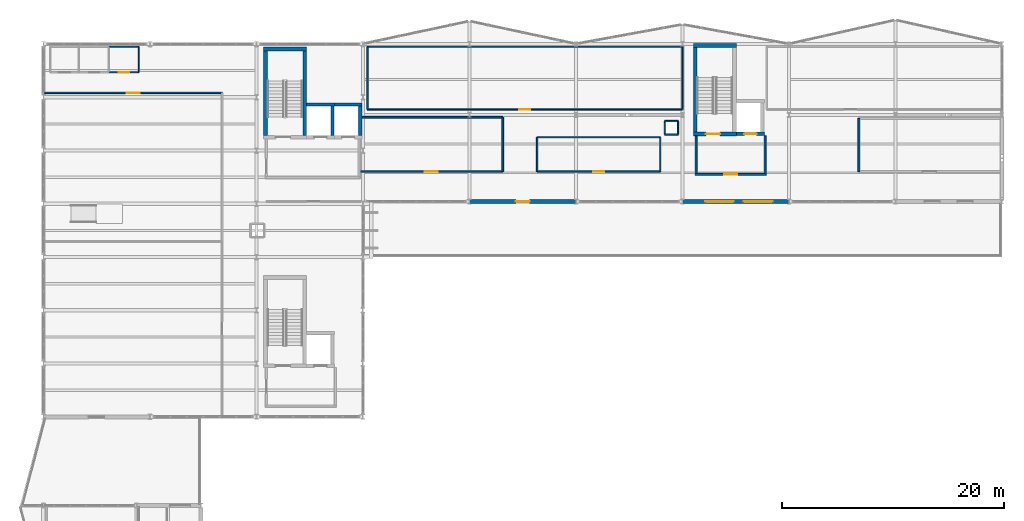
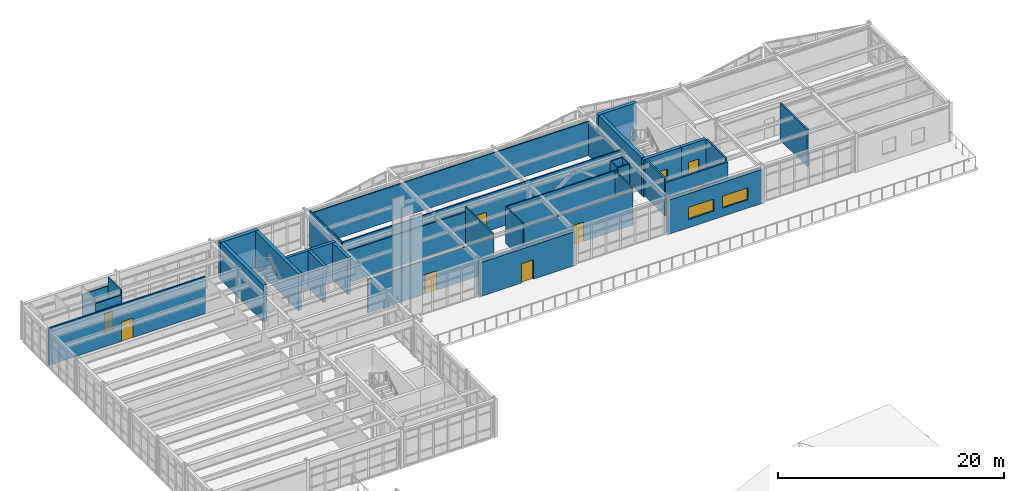
# One storey, part 42 of 47: 36 walls, 9 doors, 2 windows, 11 openings.
"""IFC4 building model written with IfcOpenShell, lengths in metres."""

from ifc_helpers import new_model, si_unit, direction, frame, frame_2d, origin, place, context, subcontext, project, spatial, rectangle, extrude, material, layer, layer_set, type_object, element, fill, save


model = new_model("IFC4")

# Units and contexts
model_context = context("Model", 3, precision=1e-05, world=origin(), true_north=direction((0.0, 1.0)))
body_context = subcontext(model_context, "Body", "Model", "MODEL_VIEW")
ifc_project = project(units=[si_unit("LENGTHUNIT", "METRE"), si_unit("AREAUNIT", "SQUARE_METRE"), si_unit("VOLUMEUNIT", "CUBIC_METRE"), si_unit("PLANEANGLEUNIT", "RADIAN"), si_unit("MASSUNIT", "GRAM", prefix="KILO")], contexts=[model_context])

# Site, building, storey
site_placement = place(None, origin())
site = spatial("IfcSite", under=ifc_project, at=site_placement, CompositionType="ELEMENT")
building_placement = place(site_placement, origin())
building = spatial("IfcBuilding", under=site, at=building_placement, Name="Nordkorset Police Headquarters", CompositionType="ELEMENT")
storey_placement = place(building_placement, frame((0.0, 0.0, 22.050048828125)))
storey = spatial("IfcBuildingStorey", under=building, at=storey_placement, Name="L05", CompositionType="ELEMENT", Elevation=22.050048828125)

# Wall, opening, door
ifc_material_1 = material(Name="Gypsum board", Category="gypsum")
ifc_layer_1 = layer(ifc_material_1, 0.139892578125, Name="Gypsum board")
ifc_layer_set_1 = layer_set([ifc_layer_1], Name="Gypsum board")
wall_type_1 = type_object("IfcWallType", Name="Wall_Acoust_140", PredefinedType="PARTITIONING", material=ifc_layer_set_1)
wall_1_placement = place(storey_placement, frame((16.10009765625, 112.39990234375, 0.0), z_axis=(0.0, 0.0, 1.0), x_axis=(-1.0, 0.0, 0.0)))
wall_1 = element("IfcWall", 1, at=wall_1_placement, inside=storey, type_object=wall_type_1, Name="Interior Partition Wall Case Preparation Hearing Room", PredefinedType="PARTITIONING", context=body_context, shape_type="SweptSolid", body=[
    extrude(rectangle(XDim=16.01513671875, YDim=0.139892578125, at=frame_2d((8.007568359375, 0.0))), origin(), (0.0, 0.0, 1.0), 4.0),
])
opening_1_placement = place(wall_1_placement, frame((7.41748046875, 0.0, 0.0)))
opening_1 = element("IfcOpeningElement", 2, at=opening_1_placement, cuts=wall_1, Name="Opening DR-22", PredefinedType="OPENING", context=body_context, shape_type="SweptSolid", body=[
    extrude(rectangle(XDim=1.179931640625, YDim=2.10009765625, at=frame_2d((0.58984375, 1.050048828125))), frame((0.0, 0.080078125, 0.0), z_axis=(0.0, -1.0, 0.0), x_axis=(1.0, 0.0, 0.0)), (0.0, 0.0, 1.0), 0.159912109375),
])
ifc_material_2 = material(Name="Glulam GL30c", Category="wood")
door_type_1 = type_object("IfcDoorType", Name="Door_Meeting_1180x2100", OperationType="NOTDEFINED", PredefinedType="DOOR", material=ifc_material_2)
door_1_placement = place(opening_1_placement, origin())
door_1 = element("IfcDoor", 3, at=door_1_placement, inside=storey, type_object=door_type_1, Name="Interior Door Case Preparation Hearing Room", OperationType="SINGLE_SWING_LEFT", OverallHeight=2.10009765625, OverallWidth=1.179931640625, PredefinedType="DOOR", context=body_context, shape_type="SweptSolid", body=[
    extrude(rectangle(XDim=1.179931640625, YDim=2.10009765625, at=frame_2d((0.58984375, 1.050048828125))), frame((0.0, 0.02490234375, 0.0), z_axis=(0.0, -1.0, 0.0), x_axis=(1.0, 0.0, 0.0)), (0.0, 0.0, 1.0), 0.050048828125),
])
fill(opening_1, door_1)

wall_2_placement = place(storey_placement, frame((28.544921875, 105.300048828125, 0.0), z_axis=(0.0, 0.0, 1.0), x_axis=(1.0, 0.0, 0.0)))
wall_2 = element("IfcWall", 4, at=wall_2_placement, inside=storey, type_object=wall_type_1, Name="Interior Partition Wall Prosecution Case Conference Suite", PredefinedType="PARTITIONING", context=body_context, shape_type="SweptSolid", body=[
    extrude(rectangle(XDim=12.85498046875, YDim=0.139892578125, at=frame_2d((6.427490234375, 0.0))), origin(), (0.0, 0.0, 1.0), 3.619873046875),
])
opening_2_placement = place(wall_2_placement, frame((5.83740234375, 0.0, 0.0)))
opening_2 = element("IfcOpeningElement", 5, at=opening_2_placement, cuts=wall_2, Name="Opening DR-22", PredefinedType="OPENING", context=body_context, shape_type="SweptSolid", body=[
    extrude(rectangle(XDim=1.179931640625, YDim=2.10009765625, at=frame_2d((0.58984375, 1.050048828125))), frame((0.0, 0.080078125, 0.0), z_axis=(0.0, -1.0, 0.0), x_axis=(1.0, 0.0, 0.0)), (0.0, 0.0, 1.0), 0.159912109375),
])
door_2_placement = place(opening_2_placement, frame((1.179931640625, 0.0, 0.0), z_axis=(0.0, 0.0, 1.0), x_axis=(-1.0, 0.0, 0.0)))
door_2 = element("IfcDoor", 6, at=door_2_placement, inside=storey, type_object=door_type_1, Name="Interior Door Prosecution Case Conference Suite", OperationType="SINGLE_SWING_RIGHT", OverallHeight=2.10009765625, OverallWidth=1.179931640625, PredefinedType="DOOR", context=body_context, shape_type="SweptSolid", body=[
    extrude(rectangle(XDim=1.179931640625, YDim=2.10009765625, at=frame_2d((0.58984375, 1.050048828125))), frame((0.0, 0.02490234375, 0.0), z_axis=(0.0, -1.0, 0.0), x_axis=(1.0, 0.0, 0.0)), (0.0, 0.0, 1.0), 0.050048828125),
])
fill(opening_2, door_2)

# Walls
wall_3_placement = place(storey_placement, frame((41.39990234375, 105.300048828125, 0.0), z_axis=(0.0, 0.0, 1.0), x_axis=(0.0, 1.0, 0.0)))
element("IfcWall", 7, at=wall_3_placement, inside=storey, type_object=wall_type_1, Name="Interior Partition Wall Prosecution Case Conference Suite", PredefinedType="PARTITIONING", context=body_context, shape_type="SweptSolid", body=[
    extrude(rectangle(XDim=4.89990234375, YDim=0.139892578125, at=frame_2d((2.449951171875, 0.0))), origin(), (0.0, 0.0, 1.0), 4.0),
])
wall_4_placement = place(storey_placement, frame((41.39990234375, 110.199951171875, 0.0), z_axis=(0.0, 0.0, 1.0), x_axis=(-1.0, 0.0, 0.0)))
element("IfcWall", 8, at=wall_4_placement, inside=storey, type_object=wall_type_1, Name="Interior Partition Wall Prosecution Case Conference Suite", PredefinedType="PARTITIONING", context=body_context, shape_type="SweptSolid", body=[
    extrude(rectangle(XDim=12.704833984375, YDim=0.139892578125, at=frame_2d((6.3525390625, 0.0))), origin(), (0.0, 0.0, 1.0), 3.43994140625),
])

# Wall, opening, door
ifc_material_3 = material(Name="Gypsum board", Category="gypsum")
ifc_layer_2 = layer(ifc_material_3, 0.179931640625, Name="Gypsum board")
ifc_layer_set_2 = layer_set([ifc_layer_2], Name="Gypsum board")
wall_type_2 = type_object("IfcWallType", Name="Wall_Comp_180", PredefinedType="PARTITIONING", material=ifc_layer_set_2)
wall_5_placement = place(storey_placement, frame((58.75, 105.06005859375, 0.0), z_axis=(0.0, 0.0, 1.0), x_axis=(1.0, 0.0, 0.0)))
wall_5 = element("IfcWall", 9, at=wall_5_placement, inside=storey, type_object=wall_type_2, Name="Firefighting Lobby EI 60 Wall K2 L05 S", PredefinedType="PARTITIONING", context=body_context, shape_type="SweptSolid", body=[
    extrude(rectangle(XDim=6.39990234375, YDim=0.179931640625, at=frame_2d((3.199951171875, 0.0))), origin(), (0.0, 0.0, 1.0), 3.619873046875),
])
opening_3_placement = place(wall_5_placement, frame((2.625, 0.0, 0.0)))
opening_3 = element("IfcOpeningElement", 10, at=opening_3_placement, cuts=wall_5, Name="Opening DR-01", PredefinedType="OPENING", context=body_context, shape_type="SweptSolid", body=[
    extrude(rectangle(XDim=1.14990234375, YDim=2.14990234375, at=frame_2d((0.574951171875, 1.074951171875))), frame((0.0, 0.10009765625, 0.0), z_axis=(0.0, -1.0, 0.0), x_axis=(1.0, 0.0, 0.0)), (0.0, 0.0, 1.0), 0.199951171875),
])
ifc_material_4 = material(Name="Steel S355J2", Category="steel")
door_type_2 = type_object("IfcDoorType", Name="Door_LobbySingle_1150x2150", OperationType="NOTDEFINED", PredefinedType="DOOR", material=ifc_material_4)
door_3_placement = place(opening_3_placement, frame((1.14990234375, 0.0, 0.0), z_axis=(0.0, 0.0, 1.0), x_axis=(-1.0, 0.0, 0.0)))
door_3 = element("IfcDoor", 11, at=door_3_placement, inside=storey, type_object=door_type_2, Name="Firefighting Lobby Smoke Door K2 L05 S", OperationType="SINGLE_SWING_LEFT", OverallHeight=2.14990234375, OverallWidth=1.14990234375, PredefinedType="DOOR", context=body_context, shape_type="SweptSolid", body=[
    extrude(rectangle(XDim=1.14990234375, YDim=2.14990234375, at=frame_2d((0.574951171875, 1.074951171875))), frame((0.0, 0.02490234375, 0.0), z_axis=(0.0, -1.0, 0.0), x_axis=(1.0, 0.0, 0.0)), (0.0, 0.0, 1.0), 0.050048828125),
])
fill(opening_3, door_3)

# Walls
for number, where, z_axis, x_axis, name in (
    (12, (58.840087890625, 105.14990234375, 0.0), (0.0, 0.0, 1.0), (0.0, 1.0, 0.0), "Firefighting Lobby EI 60 Wall K2 L05 W"),
    (13, (65.06005859375, 105.14990234375, 0.0), (0.0, 0.0, 1.0), (0.0, 1.0, 0.0), "Firefighting Lobby EI 60 Wall K2 L05 E"),
):
    element("IfcWall", number, at=place(storey_placement, frame(where, z_axis=z_axis, x_axis=x_axis)), inside=storey, type_object=wall_type_2, Name=name, PredefinedType="PARTITIONING", context=body_context, shape_type="SweptSolid", body=[
        extrude(rectangle(XDim=3.375, YDim=0.179931640625, at=frame_2d((1.6875, 0.0))), origin(), (0.0, 0.0, 1.0), 4.0),
    ])
wall_6_placement = place(storey_placement, frame((73.5, 110.10009765625, 0.0), z_axis=(0.0, 0.0, 1.0), x_axis=(0.0, -1.0, 0.0)))
element("IfcWall", 14, at=wall_6_placement, inside=storey, type_object=wall_type_2, Name="Interior Partition Wall North Wing Air Handling Room", PredefinedType="PARTITIONING", context=body_context, shape_type="SweptSolid", body=[
    extrude(rectangle(XDim=4.800048828125, YDim=0.179931640625, at=frame_2d((2.39990234375, 0.0))), origin(), (0.0, 0.0, 1.0), 4.0),
])
ifc_material_5 = material(Name="Concrete C35/45", Category="concrete")
ifc_layer_3 = layer(ifc_material_5, 0.35009765625, Name="Concrete C35/45")
ifc_layer_set_3 = layer_set([ifc_layer_3], Name="Concrete C35/45")
wall_type_3 = type_object("IfcWallType", Name="Wall_CoreShear_350", PredefinedType="SHEAR", material=ifc_layer_set_3)
wall_7_placement = place(storey_placement, frame((19.824951171875, 116.35009765625, 0.0), z_axis=(0.0, 0.0, 1.0), x_axis=(1.0, 0.0, 0.0)))
element("IfcWall", 15, at=wall_7_placement, inside=storey, type_object=wall_type_3, Name="Core K1 Stair Shaft North Shear Wall L05", PredefinedType="SHEAR", context=body_context, shape_type="SweptSolid", body=[
    extrude(rectangle(XDim=3.900146484375, YDim=0.35009765625, at=frame_2d((1.9501953125, 0.0))), origin(), (0.0, 0.0, 1.0), 4.0),
])
for number, where, z_axis, x_axis, name in (
    (16, (20.0, 108.574951171875, 0.0), (0.0, 0.0, 1.0), (0.0, 1.0, 0.0), "Core K1 Stair Shaft West Shear Wall L05"),
    (17, (23.550048828125, 108.574951171875, 0.0), (0.0, 0.0, 1.0), (0.0, 1.0, 0.0), "Core K1 Stair Shaft East Shear Wall L05"),
):
    element("IfcWall", number, at=place(storey_placement, frame(where, z_axis=z_axis, x_axis=x_axis)), inside=storey, type_object=wall_type_3, Name=name, PredefinedType="SHEAR", context=body_context, shape_type="SweptSolid", body=[
        extrude(rectangle(XDim=7.60009765625, YDim=0.35009765625, at=frame_2d((3.800048828125, 0.0))), origin(), (0.0, 0.0, 1.0), 4.0),
    ])

# Wall, opening, door
wall_8_placement = place(storey_placement, frame((58.574951171875, 108.699951171875, 0.0), z_axis=(0.0, 0.0, 1.0), x_axis=(1.0, 0.0, 0.0)))
wall_8 = element("IfcWall", 18, at=wall_8_placement, inside=storey, type_object=wall_type_3, Name="Core K2 Stair Shaft South Shear Wall L05", PredefinedType="SHEAR", context=body_context, shape_type="SweptSolid", body=[
    extrude(rectangle(XDim=3.900146484375, YDim=0.35009765625, at=frame_2d((1.9501953125, 0.0))), origin(), (0.0, 0.0, 1.0), 4.0),
])
opening_4_placement = place(wall_8_placement, frame((1.125, 0.0, 0.0)))
opening_4 = element("IfcOpeningElement", 19, at=opening_4_placement, cuts=wall_8, Name="Opening DR-20", PredefinedType="OPENING", context=body_context, shape_type="SweptSolid", body=[
    extrude(rectangle(XDim=1.300048828125, YDim=2.14990234375, at=frame_2d((0.64990234375, 1.074951171875))), frame((0.0, 0.18505859375, 0.0), z_axis=(0.0, -1.0, 0.0), x_axis=(1.0, 0.0, 0.0)), (0.0, 0.0, 1.0), 0.3701171875),
])
ifc_material_6 = material(Name="Steel S355J2", Category="steel")
door_type_3 = type_object("IfcDoorType", Name="Door_Stair_1300x2150", OperationType="NOTDEFINED", PredefinedType="DOOR", material=ifc_material_6)
door_4_placement = place(opening_4_placement, frame((1.300048828125, 0.0, 0.0), z_axis=(0.0, 0.0, 1.0), x_axis=(-1.0, 0.0, 0.0)))
door_4 = element("IfcDoor", 20, at=door_4_placement, inside=storey, type_object=door_type_3, Name="Protected Stair Fire Door ST-02 L05", OperationType="SINGLE_SWING_RIGHT", OverallHeight=2.14990234375, OverallWidth=1.300048828125, PredefinedType="DOOR", context=body_context, shape_type="SweptSolid", body=[
    extrude(rectangle(XDim=1.300048828125, YDim=2.14990234375, at=frame_2d((0.64990234375, 1.074951171875))), frame((0.0, 0.02490234375, 0.0), z_axis=(0.0, -1.0, 0.0), x_axis=(1.0, 0.0, 0.0)), (0.0, 0.0, 1.0), 0.050048828125),
])
fill(opening_4, door_4)

# Walls
wall_9_placement = place(storey_placement, frame((58.574951171875, 116.64990234375, 0.0), z_axis=(0.0, 0.0, 1.0), x_axis=(1.0, 0.0, 0.0)))
element("IfcWall", 21, at=wall_9_placement, inside=storey, type_object=wall_type_3, Name="Core K2 Stair Shaft North Shear Wall L05", PredefinedType="SHEAR", context=body_context, shape_type="SweptSolid", body=[
    extrude(rectangle(XDim=3.900146484375, YDim=0.35009765625, at=frame_2d((1.9501953125, 0.0))), origin(), (0.0, 0.0, 1.0), 4.0),
])
wall_10_placement = place(storey_placement, frame((58.75, 108.875, 0.0), z_axis=(0.0, 0.0, 1.0), x_axis=(0.0, 1.0, 0.0)))
element("IfcWall", 22, at=wall_10_placement, inside=storey, type_object=wall_type_3, Name="Core K2 Stair Shaft West Shear Wall L05", PredefinedType="SHEAR", context=body_context, shape_type="SweptSolid", body=[
    extrude(rectangle(XDim=7.60009765625, YDim=0.35009765625, at=frame_2d((3.800048828125, 0.0))), origin(), (0.0, 0.0, 1.0), 4.0),
])

# Wall, opening, door
ifc_material_7 = material(Name="Precast concrete C40/50", Category="concrete")
ifc_layer_4 = layer(ifc_material_7, 0.360107421875, Name="Precast concrete C40/50")
ifc_layer_set_4 = layer_set([ifc_layer_4], Name="Precast concrete C40/50")
wall_type_4 = type_object("IfcWallType", Name="Wall_ExtPrecast_360", PredefinedType="SOLIDWALL", material=ifc_layer_set_4)
wall_11_placement = place(storey_placement, frame((38.40869140625, 102.60009765625, 0.0), z_axis=(0.0, 0.0, 1.0), x_axis=(1.0, 0.0, 0.0)))
wall_11 = element("IfcWall", 23, at=wall_11_placement, inside=storey, type_object=wall_type_4, Name="Exterior Insulated Precast Wall L05 V2S-1", PredefinedType="SOLIDWALL", context=body_context, shape_type="SweptSolid", body=[
    extrude(rectangle(XDim=9.58251953125, YDim=0.360107421875, at=frame_2d((4.791259765625, 0.0))), origin(), (0.0, 0.0, 1.0), 3.669921875),
])
opening_5_placement = place(wall_11_placement, frame((4.166259765625, 0.0, 0.0)))
opening_5 = element("IfcOpeningElement", 24, at=opening_5_placement, cuts=wall_11, Name="Opening TD-03", PredefinedType="OPENING", context=body_context, shape_type="SweptSolid", body=[
    extrude(rectangle(XDim=1.25, YDim=2.10009765625, at=frame_2d((0.625, 1.050048828125))), frame((0.0, 0.18994140625, 0.0), z_axis=(0.0, -1.0, 0.0), x_axis=(1.0, 0.0, 0.0)), (0.0, 0.0, 1.0), 0.380126953125),
])
ifc_material_8 = material(Name="Aluminium alloy AW-6060", Category="aluminium")
door_type_4 = type_object("IfcDoorType", Name="ExtDoor_Terrace_1250x2100", OperationType="NOTDEFINED", PredefinedType="DOOR", material=ifc_material_8)
door_5_placement = place(opening_5_placement, frame((1.25, 0.0, 0.0), z_axis=(0.0, 0.0, 1.0), x_axis=(-1.0, 0.0, 0.0)))
door_5 = element("IfcDoor", 25, at=door_5_placement, inside=storey, type_object=door_type_4, Name="North Wing Setback Terrace Door TD-03", OperationType="SINGLE_SWING_LEFT", OverallHeight=2.10009765625, OverallWidth=1.25, PredefinedType="DOOR", context=body_context, shape_type="SweptSolid", body=[
    extrude(rectangle(XDim=1.25, YDim=2.10009765625, at=frame_2d((0.625, 1.050048828125))), frame((0.0, 0.02490234375, 0.0), z_axis=(0.0, -1.0, 0.0), x_axis=(1.0, 0.0, 0.0)), (0.0, 0.0, 1.0), 0.050048828125),
])
fill(opening_5, door_5)

# Wall, openings, windows
wall_12_placement = place(storey_placement, frame((57.608642578125, 102.60009765625, 0.0), z_axis=(0.0, 0.0, 1.0), x_axis=(1.0, 0.0, 0.0)))
wall_12 = element("IfcWall", 26, at=wall_12_placement, inside=storey, type_object=wall_type_4, Name="Exterior Insulated Precast Wall L05 V2S-3", PredefinedType="SOLIDWALL", context=body_context, shape_type="SweptSolid", body=[
    extrude(rectangle(XDim=9.58251953125, YDim=0.360107421875, at=frame_2d((4.791259765625, 0.0))), origin(), (0.0, 0.0, 1.0), 3.669921875),
])
opening_6_placement = place(wall_12_placement, frame((2.024658203125, 0.0, 0.89990234375)))
opening_6 = element("IfcOpeningElement", 27, at=opening_6_placement, cuts=wall_12, Name="Opening WN-34", PredefinedType="OPENING", context=body_context, shape_type="SweptSolid", body=[
    extrude(rectangle(XDim=2.60009765625, YDim=1.300048828125, at=frame_2d((1.300048828125, 0.64990234375))), frame((0.0, 0.18994140625, 0.0), z_axis=(0.0, -1.0, 0.0), x_axis=(1.0, 0.0, 0.0)), (0.0, 0.0, 1.0), 0.380126953125),
])
opening_7_placement = place(wall_12_placement, frame((5.508056640625, 0.0, 0.89990234375)))
opening_7 = element("IfcOpeningElement", 28, at=opening_7_placement, cuts=wall_12, Name="Opening WN-34", PredefinedType="OPENING", context=body_context, shape_type="SweptSolid", body=[
    extrude(rectangle(XDim=2.60009765625, YDim=1.300048828125, at=frame_2d((1.300048828125, 0.64990234375))), frame((0.0, 0.18994140625, 0.0), z_axis=(0.0, -1.0, 0.0), x_axis=(1.0, 0.0, 0.0)), (0.0, 0.0, 1.0), 0.380126953125),
])
ifc_material_9 = material(Name="Low-iron triple glazing", Category="glass")
window_type = type_object("IfcWindowType", Name="Win_2600x1300", PartitioningType="SINGLE_PANEL", PredefinedType="WINDOW", material=ifc_material_9)
window_1_placement = place(opening_6_placement, origin())
window_1 = element("IfcWindow", 29, at=window_1_placement, inside=storey, type_object=window_type, Name="Triple-Glazed Exterior Window L05 V2S-3-1", OverallHeight=1.300048828125, OverallWidth=2.60009765625, PartitioningType="SINGLE_PANEL", PredefinedType="WINDOW", context=body_context, shape_type="SweptSolid", body=[
    extrude(rectangle(XDim=2.60009765625, YDim=1.300048828125, at=frame_2d((1.300048828125, 0.64990234375))), frame((0.0, 0.030029296875, 0.0), z_axis=(0.0, -1.0, 0.0), x_axis=(1.0, 0.0, 0.0)), (0.0, 0.0, 1.0), 0.06005859375),
])
fill(opening_6, window_1)
window_2_placement = place(opening_7_placement, origin())
window_2 = element("IfcWindow", 30, at=window_2_placement, inside=storey, type_object=window_type, Name="Triple-Glazed Exterior Window L05 V2S-3-2", OverallHeight=1.300048828125, OverallWidth=2.60009765625, PartitioningType="SINGLE_PANEL", PredefinedType="WINDOW", context=body_context, shape_type="SweptSolid", body=[
    extrude(rectangle(XDim=2.60009765625, YDim=1.300048828125, at=frame_2d((1.300048828125, 0.64990234375))), frame((0.0, 0.030029296875, 0.0), z_axis=(0.0, -1.0, 0.0), x_axis=(1.0, 0.0, 0.0)), (0.0, 0.0, 1.0), 0.06005859375),
])
fill(opening_7, window_2)

# Wall, opening, door
ifc_material_10 = material(Name="Gypsum board", Category="gypsum")
ifc_layer_5 = layer(ifc_material_10, 0.10009765625, Name="Gypsum board")
ifc_layer_set_5 = layer_set([ifc_layer_5], Name="Gypsum board")
wall_type_5 = type_object("IfcWallType", Name="Wall_Part_100", PredefinedType="PARTITIONING", material=ifc_layer_set_5)
wall_13_placement = place(storey_placement, frame((5.945068359375, 114.25, 0.0), z_axis=(0.0, 0.0, 1.0), x_axis=(1.0, 0.0, 0.0)))
wall_13 = element("IfcWall", 31, at=wall_13_placement, inside=storey, type_object=wall_type_5, Name="Interior Partition Wall Staff Male WC L05W", PredefinedType="PARTITIONING", context=body_context, shape_type="SweptSolid", body=[
    extrude(rectangle(XDim=2.655029296875, YDim=0.10009765625, at=frame_2d((1.32763671875, 0.0))), origin(), (0.0, 0.0, 1.0), 3.47998046875),
])
opening_8_placement = place(wall_13_placement, frame((0.867431640625, 0.0, 0.0)))
opening_8 = element("IfcOpeningElement", 32, at=opening_8_placement, cuts=wall_13, Name="Opening DR-21", PredefinedType="OPENING", context=body_context, shape_type="SweptSolid", body=[
    extrude(rectangle(XDim=0.919921875, YDim=2.080078125, at=frame_2d((0.4599609375, 1.0400390625))), frame((0.0, 0.06005859375, 0.0), z_axis=(0.0, -1.0, 0.0), x_axis=(1.0, 0.0, 0.0)), (0.0, 0.0, 1.0), 0.1201171875),
])
ifc_material_11 = material(Name="Glulam GL30c", Category="wood")
door_type_5 = type_object("IfcDoorType", Name="Door_WCStaff_920x2080", OperationType="NOTDEFINED", PredefinedType="DOOR", material=ifc_material_11)
door_6_placement = place(opening_8_placement, frame((0.919921875, 0.0, 0.0), z_axis=(0.0, 0.0, 1.0), x_axis=(-1.0, 0.0, 0.0)))
door_6 = element("IfcDoor", 33, at=door_6_placement, inside=storey, type_object=door_type_5, Name="Interior Door Staff Male WC L05W", OperationType="SINGLE_SWING_RIGHT", OverallHeight=2.080078125, OverallWidth=0.919921875, PredefinedType="DOOR", context=body_context, shape_type="SweptSolid", body=[
    extrude(rectangle(XDim=0.919921875, YDim=2.080078125, at=frame_2d((0.4599609375, 1.0400390625))), frame((0.0, 0.02490234375, 0.0), z_axis=(0.0, -1.0, 0.0), x_axis=(1.0, 0.0, 0.0)), (0.0, 0.0, 1.0), 0.050048828125),
])
fill(opening_8, door_6)

# Walls
wall_14_placement = place(storey_placement, frame((8.60009765625, 114.25, 0.0), z_axis=(0.0, 0.0, 1.0), x_axis=(0.0, 1.0, 0.0)))
element("IfcWall", 34, at=wall_14_placement, inside=storey, type_object=wall_type_5, Name="Interior Partition Wall Staff Male WC L05W", PredefinedType="PARTITIONING", context=body_context, shape_type="SweptSolid", body=[
    extrude(rectangle(XDim=2.300048828125, YDim=0.10009765625, at=frame_2d((1.14990234375, 0.0))), origin(), (0.0, 0.0, 1.0), 4.0),
])
wall_15_placement = place(storey_placement, frame((8.60009765625, 116.550048828125, 0.0), z_axis=(0.0, 0.0, 1.0), x_axis=(-1.0, 0.0, 0.0)))
element("IfcWall", 35, at=wall_15_placement, inside=storey, type_object=wall_type_5, Name="Interior Partition Wall Staff Male WC L05W", PredefinedType="PARTITIONING", context=body_context, shape_type="SweptSolid", body=[
    extrude(rectangle(XDim=2.655029296875, YDim=0.10009765625, at=frame_2d((1.32763671875, 0.0))), origin(), (0.0, 0.0, 1.0), 3.079833984375),
])

# Wall, opening, door
ifc_material_12 = material(Name="Gypsum board", Category="gypsum")
ifc_layer_6 = layer(ifc_material_12, 0.1201171875, Name="Gypsum board")
ifc_layer_set_6 = layer_set([ifc_layer_6], Name="Gypsum board")
wall_type_6 = type_object("IfcWallType", Name="Wall_Part_120", PredefinedType="PARTITIONING", material=ifc_layer_set_6)
wall_16_placement = place(storey_placement, frame((29.199951171875, 110.89990234375, 0.0), z_axis=(0.0, 0.0, 1.0), x_axis=(1.0, 0.0, 0.0)))
wall_16 = element("IfcWall", 36, at=wall_16_placement, inside=storey, type_object=wall_type_6, Name="Interior Partition Wall Senior Police Attorney Chambers West", PredefinedType="PARTITIONING", context=body_context, shape_type="SweptSolid", body=[
    extrude(rectangle(XDim=28.400146484375, YDim=0.1201171875, at=frame_2d((14.2001953125, 0.0))), origin(), (0.0, 0.0, 1.0), 4.0),
])
opening_9_placement = place(wall_16_placement, frame((13.7099609375, 0.0, 0.0)))
opening_9 = element("IfcOpeningElement", 37, at=opening_9_placement, cuts=wall_16, Name="Opening DR-18", PredefinedType="OPENING", context=body_context, shape_type="SweptSolid", body=[
    extrude(rectangle(XDim=0.97998046875, YDim=2.10009765625, at=frame_2d((0.489990234375, 1.050048828125))), frame((0.0, 0.070068359375, 0.0), z_axis=(0.0, -1.0, 0.0), x_axis=(1.0, 0.0, 0.0)), (0.0, 0.0, 1.0), 0.14013671875),
])
ifc_material_13 = material(Name="Glulam GL30c", Category="wood")
door_type_6 = type_object("IfcDoorType", Name="Door_Office_980x2100", OperationType="NOTDEFINED", PredefinedType="DOOR", material=ifc_material_13)
door_7_placement = place(opening_9_placement, frame((0.97998046875, 0.0, 0.0), z_axis=(0.0, 0.0, 1.0), x_axis=(-1.0, 0.0, 0.0)))
door_7 = element("IfcDoor", 38, at=door_7_placement, inside=storey, type_object=door_type_6, Name="Interior Door Senior Police Attorney Chambers West", OperationType="SINGLE_SWING_RIGHT", OverallHeight=2.10009765625, OverallWidth=0.97998046875, PredefinedType="DOOR", context=body_context, shape_type="SweptSolid", body=[
    extrude(rectangle(XDim=0.97998046875, YDim=2.10009765625, at=frame_2d((0.489990234375, 1.050048828125))), frame((0.0, 0.02490234375, 0.0), z_axis=(0.0, -1.0, 0.0), x_axis=(1.0, 0.0, 0.0)), (0.0, 0.0, 1.0), 0.050048828125),
])
fill(opening_9, door_7)

# Walls
wall_17_placement = place(storey_placement, frame((57.60009765625, 110.89990234375, 0.0), z_axis=(0.0, 0.0, 1.0), x_axis=(0.0, 1.0, 0.0)))
element("IfcWall", 39, at=wall_17_placement, inside=storey, type_object=wall_type_6, Name="Interior Partition Wall Senior Police Attorney Chambers West", PredefinedType="PARTITIONING", context=body_context, shape_type="SweptSolid", body=[
    extrude(rectangle(XDim=5.650146484375, YDim=0.1201171875, at=frame_2d((2.8251953125, 0.0))), origin(), (0.0, 0.0, 1.0), 3.5400390625),
])
wall_18_placement = place(storey_placement, frame((57.60009765625, 116.550048828125, 0.0), z_axis=(0.0, 0.0, 1.0), x_axis=(-1.0, 0.0, 0.0)))
element("IfcWall", 40, at=wall_18_placement, inside=storey, type_object=wall_type_6, Name="Interior Partition Wall Senior Police Attorney Chambers West", PredefinedType="PARTITIONING", context=body_context, shape_type="SweptSolid", body=[
    extrude(rectangle(XDim=28.400146484375, YDim=0.1201171875, at=frame_2d((14.2001953125, 0.0))), origin(), (0.0, 0.0, 1.0), 3.669921875),
])
wall_19_placement = place(storey_placement, frame((29.199951171875, 116.550048828125, 0.0), z_axis=(0.0, 0.0, 1.0), x_axis=(0.0, -1.0, 0.0)))
element("IfcWall", 41, at=wall_19_placement, inside=storey, type_object=wall_type_6, Name="Interior Partition Wall Senior Police Attorney Chambers West", PredefinedType="PARTITIONING", context=body_context, shape_type="SweptSolid", body=[
    extrude(rectangle(XDim=5.650146484375, YDim=0.1201171875, at=frame_2d((2.8251953125, 0.0))), origin(), (0.0, 0.0, 1.0), 4.0),
])

# Wall, opening, door
wall_20_placement = place(storey_placement, frame((44.5, 105.300048828125, 0.0), z_axis=(0.0, 0.0, 1.0), x_axis=(1.0, 0.0, 0.0)))
wall_20 = element("IfcWall", 42, at=wall_20_placement, inside=storey, type_object=wall_type_6, Name="Interior Partition Wall Case Disclosure Review Office", PredefinedType="PARTITIONING", context=body_context, shape_type="SweptSolid", body=[
    extrude(rectangle(XDim=11.10009765625, YDim=0.1201171875, at=frame_2d((5.550048828125, 0.0))), origin(), (0.0, 0.0, 1.0), 3.619873046875),
])
opening_10_placement = place(wall_20_placement, frame((5.0400390625, 0.0, 0.0)))
opening_10 = element("IfcOpeningElement", 43, at=opening_10_placement, cuts=wall_20, Name="Opening DR-19", PredefinedType="OPENING", context=body_context, shape_type="SweptSolid", body=[
    extrude(rectangle(XDim=1.02001953125, YDim=2.10009765625, at=frame_2d((0.510009765625, 1.050048828125))), frame((0.0, 0.070068359375, 0.0), z_axis=(0.0, -1.0, 0.0), x_axis=(1.0, 0.0, 0.0)), (0.0, 0.0, 1.0), 0.14013671875),
])
ifc_material_14 = material(Name="Glulam GL30c", Category="wood")
door_type_7 = type_object("IfcDoorType", Name="Door_Office_1020x2100", OperationType="NOTDEFINED", PredefinedType="DOOR", material=ifc_material_14)
door_8_placement = place(opening_10_placement, origin())
door_8 = element("IfcDoor", 44, at=door_8_placement, inside=storey, type_object=door_type_7, Name="Interior Door Case Disclosure Review Office", OperationType="SINGLE_SWING_LEFT", OverallHeight=2.10009765625, OverallWidth=1.02001953125, PredefinedType="DOOR", context=body_context, shape_type="SweptSolid", body=[
    extrude(rectangle(XDim=1.02001953125, YDim=2.10009765625, at=frame_2d((0.510009765625, 1.050048828125))), frame((0.0, 0.02490234375, 0.0), z_axis=(0.0, -1.0, 0.0), x_axis=(1.0, 0.0, 0.0)), (0.0, 0.0, 1.0), 0.050048828125),
])
fill(opening_10, door_8)

# Walls
wall_21_placement = place(storey_placement, frame((55.60009765625, 105.300048828125, 0.0), z_axis=(0.0, 0.0, 1.0), x_axis=(0.0, 1.0, 0.0)))
element("IfcWall", 45, at=wall_21_placement, inside=storey, type_object=wall_type_6, Name="Interior Partition Wall Case Disclosure Review Office", PredefinedType="PARTITIONING", context=body_context, shape_type="SweptSolid", body=[
    extrude(rectangle(XDim=3.099853515625, YDim=0.1201171875, at=frame_2d((1.5498046875, 0.0))), origin(), (0.0, 0.0, 1.0), 4.0),
])
wall_22_placement = place(storey_placement, frame((55.60009765625, 108.39990234375, 0.0), z_axis=(0.0, 0.0, 1.0), x_axis=(-1.0, 0.0, 0.0)))
element("IfcWall", 46, at=wall_22_placement, inside=storey, type_object=wall_type_6, Name="Interior Partition Wall Case Disclosure Review Office", PredefinedType="PARTITIONING", context=body_context, shape_type="SweptSolid", body=[
    extrude(rectangle(XDim=11.10009765625, YDim=0.1201171875, at=frame_2d((5.550048828125, 0.0))), origin(), (0.0, 0.0, 1.0), 4.0),
])
wall_23_placement = place(storey_placement, frame((44.5, 108.39990234375, 0.0), z_axis=(0.0, 0.0, 1.0), x_axis=(0.0, -1.0, 0.0)))
element("IfcWall", 47, at=wall_23_placement, inside=storey, type_object=wall_type_6, Name="Interior Partition Wall Case Disclosure Review Office", PredefinedType="PARTITIONING", context=body_context, shape_type="SweptSolid", body=[
    extrude(rectangle(XDim=3.099853515625, YDim=0.1201171875, at=frame_2d((1.5498046875, 0.0))), origin(), (0.0, 0.0, 1.0), 4.0),
])
ifc_material_15 = material(Name="Gypsum board", Category="gypsum")
ifc_layer_7 = layer(ifc_material_15, 0.125, Name="Gypsum board")
ifc_layer_set_7 = layer_set([ifc_layer_7], Name="Gypsum board")
wall_type_7 = type_object("IfcWallType", Name="Wall_Riser_125", PredefinedType="PARTITIONING", material=ifc_layer_set_7)
wall_24_placement = place(storey_placement, frame((56.0, 108.64990234375, 0.0), z_axis=(0.0, 0.0, 1.0), x_axis=(1.0, 0.0, 0.0)))
element("IfcWall", 48, at=wall_24_placement, inside=storey, type_object=wall_type_7, Name="Service Riser Enclosure RSR-V2 L05", PredefinedType="PARTITIONING", context=body_context, shape_type="SweptSolid", body=[
    extrude(rectangle(XDim=1.199951171875, YDim=0.125, at=frame_2d((0.60009765625, 0.0))), origin(), (0.0, 0.0, 1.0), 4.0),
])
wall_25_placement = place(storey_placement, frame((57.199951171875, 108.64990234375, 0.0), z_axis=(0.0, 0.0, 1.0), x_axis=(0.0, 1.0, 0.0)))
element("IfcWall", 49, at=wall_25_placement, inside=storey, type_object=wall_type_7, Name="Service Riser Enclosure RSR-V2 L05", PredefinedType="PARTITIONING", context=body_context, shape_type="SweptSolid", body=[
    extrude(rectangle(XDim=1.2001953125, YDim=0.125, at=frame_2d((0.60009765625, 0.0))), origin(), (0.0, 0.0, 1.0), 4.0),
])
wall_26_placement = place(storey_placement, frame((57.199951171875, 109.85009765625, 0.0), z_axis=(0.0, 0.0, 1.0), x_axis=(-1.0, 0.0, 0.0)))
element("IfcWall", 50, at=wall_26_placement, inside=storey, type_object=wall_type_7, Name="Service Riser Enclosure RSR-V2 L05", PredefinedType="PARTITIONING", context=body_context, shape_type="SweptSolid", body=[
    extrude(rectangle(XDim=1.199951171875, YDim=0.125, at=frame_2d((0.60009765625, 0.0))), origin(), (0.0, 0.0, 1.0), 4.0),
])
wall_27_placement = place(storey_placement, frame((56.0, 109.85009765625, 0.0), z_axis=(0.0, 0.0, 1.0), x_axis=(0.0, -1.0, 0.0)))
element("IfcWall", 51, at=wall_27_placement, inside=storey, type_object=wall_type_7, Name="Service Riser Enclosure RSR-V2 L05", PredefinedType="PARTITIONING", context=body_context, shape_type="SweptSolid", body=[
    extrude(rectangle(XDim=1.2001953125, YDim=0.125, at=frame_2d((0.60009765625, 0.0))), origin(), (0.0, 0.0, 1.0), 4.0),
])
ifc_material_16 = material(Name="Concrete C35/45", Category="concrete")
ifc_layer_8 = layer(ifc_material_16, 0.300048828125, Name="Concrete C35/45")
ifc_layer_set_8 = layer_set([ifc_layer_8], Name="Concrete C35/45")
wall_type_8 = type_object("IfcWallType", Name="Wall_ShaftShear_300", PredefinedType="SHEAR", material=ifc_layer_set_8)
wall_28_placement = place(storey_placement, frame((23.72509765625, 111.35009765625, 0.0), z_axis=(0.0, 0.0, 1.0), x_axis=(1.0, 0.0, 0.0)))
element("IfcWall", 52, at=wall_28_placement, inside=storey, type_object=wall_type_8, Name="Lift Shaft LF-01 Rear Shear Wall L05", PredefinedType="SHEAR", context=body_context, shape_type="SweptSolid", body=[
    extrude(rectangle(XDim=2.5, YDim=0.300048828125, at=frame_2d((1.25, 0.0))), origin(), (0.0, 0.0, 1.0), 4.0),
])
wall_29_placement = place(storey_placement, frame((26.050048828125, 108.550048828125, 0.0), z_axis=(0.0, 0.0, 1.0), x_axis=(0.0, 1.0, 0.0)))
element("IfcWall", 53, at=wall_29_placement, inside=storey, type_object=wall_type_8, Name="Lift Shaft LF-01 East Shear Wall L05", PredefinedType="SHEAR", context=body_context, shape_type="SweptSolid", body=[
    extrude(rectangle(XDim=2.64990234375, YDim=0.300048828125, at=frame_2d((1.324951171875, 0.0))), origin(), (0.0, 0.0, 1.0), 4.0),
])
wall_30_placement = place(storey_placement, frame((26.22509765625, 111.35009765625, 0.0), z_axis=(0.0, 0.0, 1.0), x_axis=(1.0, 0.0, 0.0)))
element("IfcWall", 54, at=wall_30_placement, inside=storey, type_object=wall_type_8, Name="Lift Shaft LF-02 Rear Shear Wall L05", PredefinedType="SHEAR", context=body_context, shape_type="SweptSolid", body=[
    extrude(rectangle(XDim=2.5, YDim=0.300048828125, at=frame_2d((1.25, 0.0))), origin(), (0.0, 0.0, 1.0), 4.0),
])
wall_31_placement = place(storey_placement, frame((28.550048828125, 108.550048828125, 0.0), z_axis=(0.0, 0.0, 1.0), x_axis=(0.0, 1.0, 0.0)))
element("IfcWall", 55, at=wall_31_placement, inside=storey, type_object=wall_type_8, Name="Lift Shaft LF-02 East Shear Wall L05", PredefinedType="SHEAR", context=body_context, shape_type="SweptSolid", body=[
    extrude(rectangle(XDim=2.64990234375, YDim=0.300048828125, at=frame_2d((1.324951171875, 0.0))), origin(), (0.0, 0.0, 1.0), 4.0),
])

# Wall, opening, door
wall_32_placement = place(storey_placement, frame((62.47509765625, 108.699951171875, 0.0), z_axis=(0.0, 0.0, 1.0), x_axis=(1.0, 0.0, 0.0)))
wall_32 = element("IfcWall", 56, at=wall_32_placement, inside=storey, type_object=wall_type_8, Name="Lift Shaft LF-04 Front Shear Wall L05", PredefinedType="SHEAR", context=body_context, shape_type="SweptSolid", body=[
    extrude(rectangle(XDim=2.5, YDim=0.300048828125, at=frame_2d((1.25, 0.0))), origin(), (0.0, 0.0, 1.0), 4.0),
])
opening_11_placement = place(wall_32_placement, frame((0.699951171875, 0.0, 0.0)))
opening_11 = element("IfcOpeningElement", 57, at=opening_11_placement, cuts=wall_32, Name="Opening LD-04", PredefinedType="OPENING", context=body_context, shape_type="SweptSolid", body=[
    extrude(rectangle(XDim=1.10009765625, YDim=2.10009765625, at=frame_2d((0.550048828125, 1.050048828125))), frame((0.0, 0.16015625, 0.0), z_axis=(0.0, -1.0, 0.0), x_axis=(1.0, 0.0, 0.0)), (0.0, 0.0, 1.0), 0.320068359375),
])
ifc_material_17 = material(Name="Steel S355J2", Category="steel")
door_type_8 = type_object("IfcDoorType", Name="Door_LiftLanding_1100x2100", OperationType="SLIDING_TO_LEFT", PredefinedType="DOOR", material=ifc_material_17)
door_9_placement = place(opening_11_placement, frame((1.10009765625, 0.0, 0.0), z_axis=(0.0, 0.0, 1.0), x_axis=(-1.0, 0.0, 0.0)))
door_9 = element("IfcDoor", 58, at=door_9_placement, inside=storey, type_object=door_type_8, Name="Lift Landing Sliding Door LF-04 L05", OperationType="SLIDING_TO_LEFT", OverallHeight=2.10009765625, OverallWidth=1.10009765625, PredefinedType="DOOR", context=body_context, shape_type="SweptSolid", body=[
    extrude(rectangle(XDim=1.10009765625, YDim=2.10009765625, at=frame_2d((0.550048828125, 1.050048828125))), frame((0.0, 0.02490234375, 0.0), z_axis=(0.0, -1.0, 0.0), x_axis=(1.0, 0.0, 0.0)), (0.0, 0.0, 1.0), 0.050048828125),
])
fill(opening_11, door_9)

save(model, "model.ifc")
